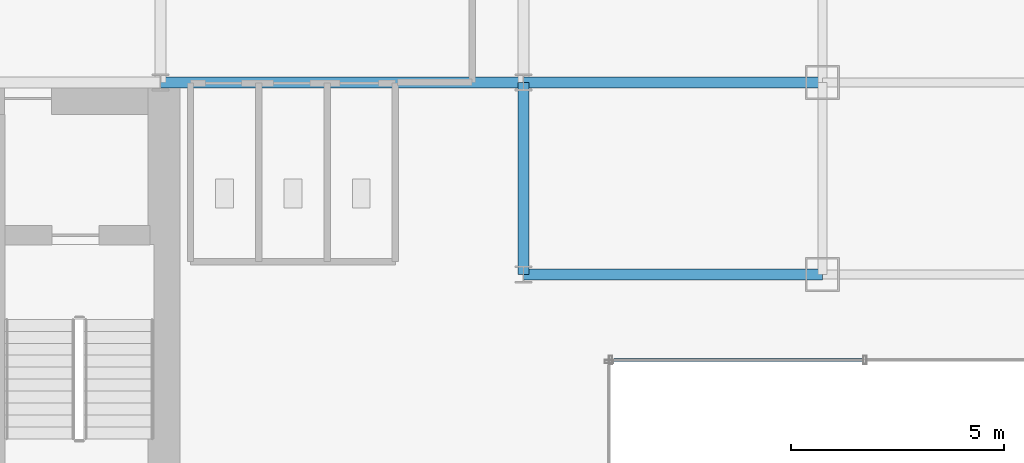
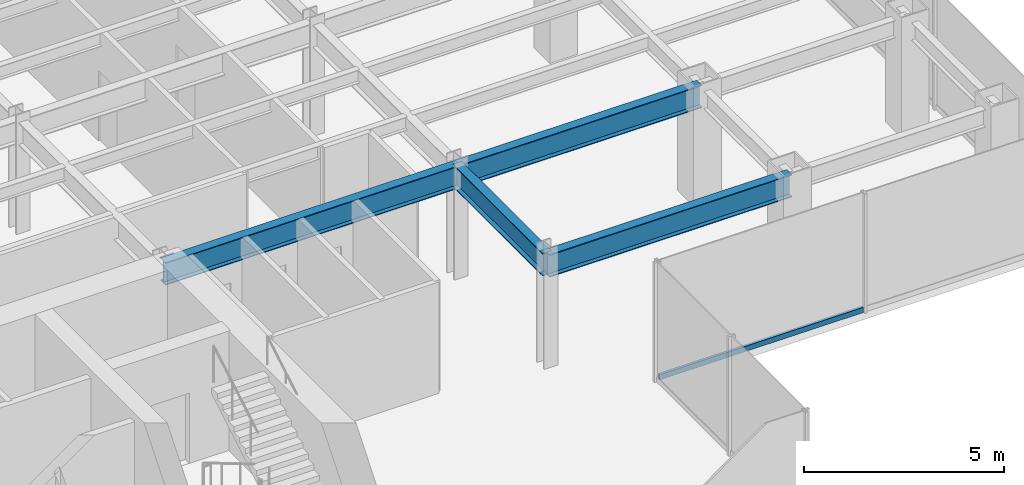
# One storey, part 9 of 26: 4 beams, 1 member, 1 element without a shape of its own.
"""IFC4 building model written with IfcOpenShell, lengths in metres."""

from ifc_helpers import new_model, si_unit, derived_unit, direction, frame, origin, origin_2d, place, context, subcontext, project, spatial, hollow_rectangle, i_section, extrude, source, transform, mapped, material, material_profile, profile_set, type_object, element, aggregate, save


model = new_model("IFC4")

# Units and contexts
model_context = context("Model", 3, precision=1e-05, world=origin(), true_north=direction((0.0, 1.0)))
body_context = subcontext(model_context, "Body", "Model", "MODEL_VIEW")
ifc_project = project(units=[si_unit("LENGTHUNIT", "METRE"), si_unit("AREAUNIT", "SQUARE_METRE"), si_unit("VOLUMEUNIT", "CUBIC_METRE"), si_unit("PLANEANGLEUNIT", "RADIAN"), si_unit("MASSUNIT", "GRAM", prefix="KILO"), derived_unit("THERMALTRANSMITTANCEUNIT", [(si_unit("POWERUNIT", "WATT"), 1), (si_unit("LENGTHUNIT", "METRE"), -2), (si_unit("THERMODYNAMICTEMPERATUREUNIT", "KELVIN"), -1)])], contexts=[model_context])

# Site, building, storey
site_placement = place(None, origin())
site = spatial("IfcSite", under=ifc_project, at=site_placement, CompositionType="ELEMENT")
building_placement = place(site_placement, origin())
building = spatial("IfcBuilding", under=site, at=building_placement, Name="Skarnbrae Concourse Arena and Tower", CompositionType="ELEMENT")
storey_placement = place(building_placement, frame((0.0, 0.0, 103.25)))
storey = spatial("IfcBuildingStorey", under=building, at=storey_placement, Name="L25", CompositionType="ELEMENT", Elevation=103.25)

# Beams
ifc_material_1 = material(Name="Steel CSA G40.21 350W", Category="steel")
ifc_material_profile_1 = material_profile(ifc_material_1, i_section(OverallWidth=0.256103515625, OverallDepth=0.693115234375, WebThickness=0.014404296875, FlangeThickness=0.023681640625, at=origin_2d()), Name="W690X170")
ifc_profile_set_1 = profile_set([ifc_material_profile_1], Name="Steel CSA G40.21 350W")
beam_type = type_object("IfcBeamType", Name="BM-GIRD-W690X170", PredefinedType="BEAM", material=ifc_profile_set_1)
shared_shape_1 = source(origin(), body_context, "Body", "SweptSolid", [
    extrude(i_section(OverallWidth=0.256103515625, OverallDepth=0.693115234375, WebThickness=0.014404296875, FlangeThickness=0.023681640625, at=origin_2d()), origin(), (0.0, 0.0, 1.0), 7.0),
])
for number, where, z_axis, x_axis, name in (
    (1, (42.0, 9.5, 3.053466796875), (1.0, 0.0, 0.0), (0.0, 1.0, 0.0), "L25 Primary E-W girder Y9.5-2"),
    (2, (42.0, 14.0, 3.053466796875), (1.0, 0.0, 0.0), (0.0, 1.0, 0.0), "L25 Primary E-W girder Y14.0-7"),
):
    element("IfcBeam", number, at=place(storey_placement, frame(where, z_axis=z_axis, x_axis=x_axis)), inside=storey, type_object=beam_type, Name=name, PredefinedType="BEAM", context=body_context, shape_type="MappedRepresentation", body=[
        mapped(shared_shape_1, transform((0.0, 0.0, 0.0))),
    ])
shared_shape_2 = source(origin(), body_context, "Body", "SweptSolid", [
    extrude(i_section(OverallWidth=0.256103515625, OverallDepth=0.693115234375, WebThickness=0.014404296875, FlangeThickness=0.023681640625, at=origin_2d()), origin(), (0.0, 0.0, 1.0), 8.5),
])
beam_1_placement = place(storey_placement, frame((33.5, 14.0, 3.053466796875), z_axis=(1.0, 0.0, 0.0), x_axis=(0.0, 1.0, 0.0)))
element("IfcBeam", 3, at=beam_1_placement, inside=storey, type_object=beam_type, Name="L25 Primary E-W girder Y14.0-6", PredefinedType="BEAM", context=body_context, shape_type="MappedRepresentation", body=[
    mapped(shared_shape_2, transform((0.0, 0.0, 0.0))),
])
shared_shape_3 = source(origin(), body_context, "Body", "SweptSolid", [
    extrude(i_section(OverallWidth=0.256103515625, OverallDepth=0.693115234375, WebThickness=0.014404296875, FlangeThickness=0.023681640625, at=origin_2d()), origin(), (0.0, 0.0, 1.0), 4.5),
])
beam_2_placement = place(storey_placement, frame((42.0, 9.5, 3.053466796875), z_axis=(0.0, 1.0, 0.0), x_axis=(-1.0, 0.0, 0.0)))
element("IfcBeam", 4, at=beam_2_placement, inside=storey, type_object=beam_type, Name="L25 Primary N-S girder X42.0-1", PredefinedType="BEAM", context=body_context, shape_type="MappedRepresentation", body=[
    mapped(shared_shape_3, transform((0.0, 0.0, 0.0))),
])

# Curtain wall, member
ifc_material_2 = material(Name="Bronze anodised aluminium 6063-T6", Category="aluminium")
curtain_wall_type = type_object("IfcCurtainWallType", Name="CW-SYS-04-MIDZONE", PredefinedType="USERDEFINED", material=ifc_material_2)
curtain_wall_placement = place(storey_placement, origin())
curtain_wall = element("IfcCurtainWall", 5, at=curtain_wall_placement, inside=storey, type_object=curtain_wall_type, Name="L25 Unitised curtain wall CW-L25-E03", ObjectType="UNITISED CURTAIN WALL", PredefinedType="USERDEFINED")
ifc_material_profile_2 = material_profile(ifc_material_2, hollow_rectangle(XDim=0.074951171875, YDim=0.159912109375, WallThickness=0.00439453125, at=origin_2d()), Name="ALU-TRAN-75X160")
ifc_profile_set_2 = profile_set([ifc_material_profile_2], Name="Bronze anodised aluminium 6063-T6")
member_type = type_object("IfcMemberType", Name="CWT-CW-04", PredefinedType="USERDEFINED", material=ifc_profile_set_2)
shared_shape_4 = source(origin(), body_context, "Body", "SweptSolid", [
    extrude(hollow_rectangle(XDim=0.074951171875, YDim=0.159912109375, WallThickness=0.00439453125, at=origin_2d()), origin(), (0.0, 0.0, 1.0), 5.887451171875),
])
member_placement = place(storey_placement, frame((44.074951171875, 7.5, 0.080078125), z_axis=(1.0, 0.0, 0.0), x_axis=(0.0, 1.0, 0.0)))
member = element("IfcMember", 6, at=member_placement, type_object=member_type, Name="CW-L25-E03 Transom 1", ObjectType="TRANSOM", PredefinedType="USERDEFINED", context=body_context, shape_type="MappedRepresentation", body=[
    mapped(shared_shape_4, transform((0.0, 0.0, 0.0))),
])
aggregate(curtain_wall, [member])

save(model, "model.ifc")
